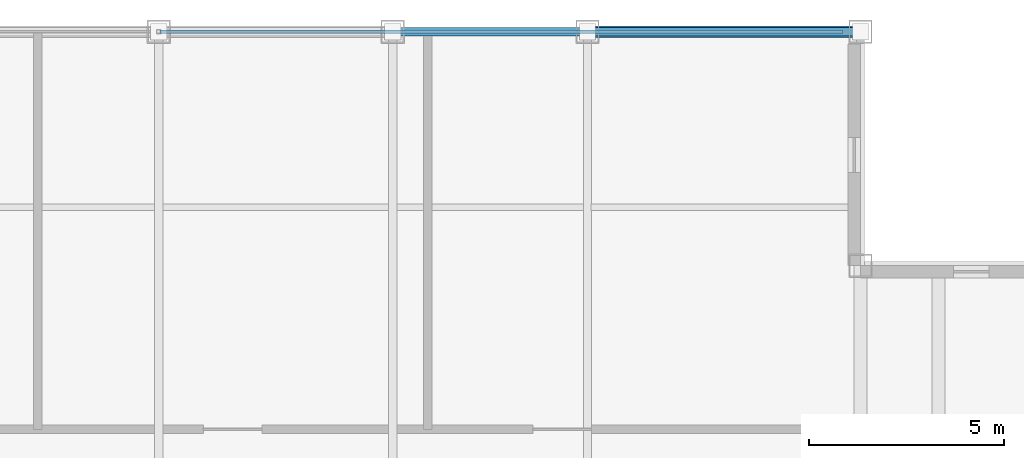
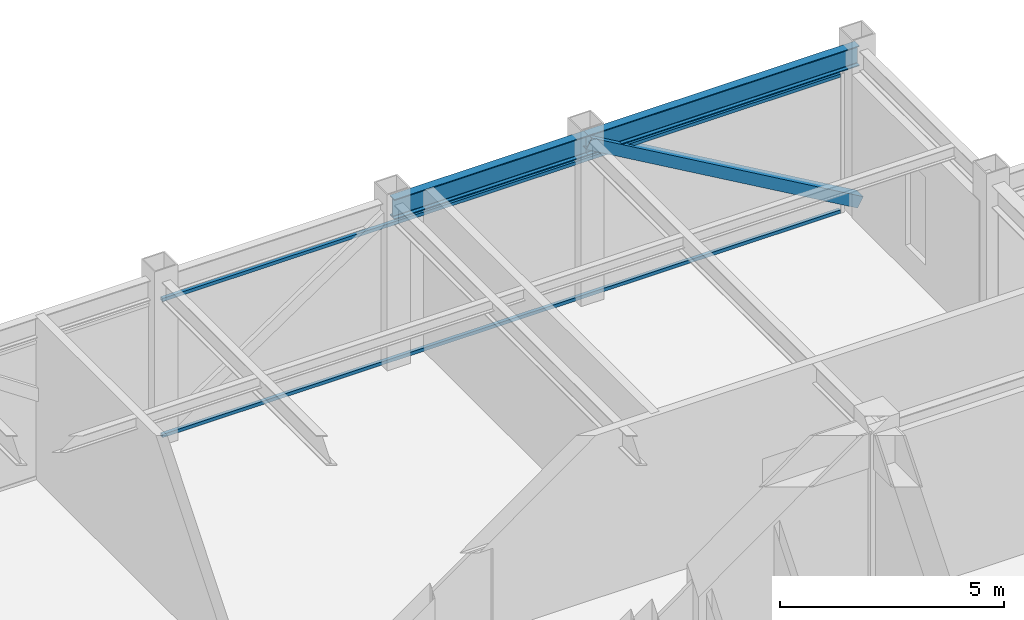
# One storey, part 21 of 27: 3 members, 2 beams, 1 element without a shape of its own.
"""IFC4 building model written with IfcOpenShell, lengths in metres."""

import ifcopenshell
import ifcopenshell.guid

model = None  # the IFC model being written
_history = None  # IfcOwnerHistory: only IFC2X3 demands one
_inside = {}  # id of a spatial element -> (the spatial element, [elements in it])
_under = {}  # id of a project, library or spatial element -> (it, [spatial elements below it])
_declared = {}  # id of a project -> (the project, [libraries it declares])
_typed = {}  # id of a type object -> (the type object, [elements of that type])
_made_of = {}  # id of a material, layer set ... -> (it, [elements and type objects made of it])


def new_model(schema):
    """Start an empty IFC model of exactly this schema.

    Asked for "IFC4X3", IfcOpenShell would pick the latest addendum, in which some entities
    have other attributes; the version numbers below select the first issue.
    IFC2X3 requires an IfcOwnerHistory on every rooted entity: one is made here for all.
    """
    global model, _history
    if schema == "IFC4X3":
        model = ifcopenshell.file(schema_version=(4, 3, 0, 0))
    else:
        model = ifcopenshell.file(schema=schema)
    _inside.clear()
    _under.clear()
    _declared.clear()
    _typed.clear()
    _made_of.clear()
    _history = None
    if model.schema == "IFC2X3":
        org = make("IfcOrganization", Name="unknown")
        user = make(
            "IfcPersonAndOrganization",
            ThePerson=make("IfcPerson", FamilyName="unknown"),
            TheOrganization=org,
        )
        app = make(
            "IfcApplication",
            ApplicationDeveloper=org,
            Version="unknown",
            ApplicationFullName="unknown",
            ApplicationIdentifier="unknown",
        )
        _history = make(
            "IfcOwnerHistory",
            OwningUser=user,
            OwningApplication=app,
            ChangeAction="ADDED",
            CreationDate=0,
        )
    return model


def make(cls, **values):
    """One entity of the class cls with the attributes given. An attribute that is None is left unset."""
    return model.create_entity(
        cls, **{name: value for name, value in values.items() if value is not None}
    )


def rooted(cls, **values):
    """An entity with a GlobalId (a new one), such as an element, a storey or a relation."""
    return make(cls, GlobalId=ifcopenshell.guid.new(), OwnerHistory=_history, **values)


def si_unit(unit_type, name, prefix=None):
    """IfcSIUnit, for example si_unit("LENGTHUNIT", "METRE", prefix="MILLI")."""
    return make("IfcSIUnit", UnitType=unit_type, Prefix=prefix, Name=name)


def assignment(units):
    """IfcUnitAssignment: the units of a project."""
    return None if units is None else make("IfcUnitAssignment", Units=units)


def point(xyz):
    """IfcCartesianPoint."""
    return None if xyz is None else make("IfcCartesianPoint", Coordinates=xyz)


def direction(xyz):
    """IfcDirection."""
    return None if xyz is None else make("IfcDirection", DirectionRatios=xyz)


def frame(location, z_axis=None, x_axis=None):
    """IfcAxis2Placement3D, a coordinate frame: its origin and axes. An axis left out is left unset."""
    return make(
        "IfcAxis2Placement3D",
        Location=point(location),
        Axis=direction(z_axis),
        RefDirection=direction(x_axis),
    )


def frame_2d(location, x_axis=None):
    """IfcAxis2Placement2D, a coordinate frame in the plane: its origin and x axis."""
    return make(
        "IfcAxis2Placement2D", Location=point(location), RefDirection=direction(x_axis)
    )


def origin():
    """The frame at (0, 0, 0) with its axes left unset."""
    return frame((0.0, 0.0, 0.0))


def origin_2d():
    """The frame at (0, 0) in the plane with its x axis left unset."""
    return frame_2d((0.0, 0.0))


def place(relative_to, where):
    """IfcLocalPlacement: puts the frame where relative to a parent placement (None: the world)."""
    return make(
        "IfcLocalPlacement", PlacementRelTo=relative_to, RelativePlacement=where
    )


def context(
    kind, dimensions, precision=None, world=None, true_north=None, identifier=None
):
    """IfcGeometricRepresentationContext, for example the 3D "Model" context."""
    return make(
        "IfcGeometricRepresentationContext",
        ContextIdentifier=identifier,
        ContextType=kind,
        CoordinateSpaceDimension=dimensions,
        Precision=precision,
        WorldCoordinateSystem=world,
        TrueNorth=true_north,
    )


def subcontext(parent, identifier, kind, view, scale=None):
    """IfcGeometricRepresentationSubContext, for example "Body" below "Model"."""
    return make(
        "IfcGeometricRepresentationSubContext",
        ContextIdentifier=identifier,
        ContextType=kind,
        ParentContext=parent,
        TargetScale=scale,
        TargetView=view,
    )


def project(units=None, contexts=None):
    """IfcProject with its units and contexts."""
    return rooted(
        "IfcProject",
        Name="project",
        RepresentationContexts=contexts,
        UnitsInContext=assignment(units),
    )


def spatial(cls, under=None, at=None, **own):
    """A site, building, storey or space (cls), placed at a placement, below another one or the project."""
    s = rooted(cls, ObjectPlacement=at, **own)
    if under is not None:
        _under.setdefault(under.id(), (under, []))[1].append(s)
    return s


def profile(cls, at=None, kind="AREA", **sizes):
    """A parametric profile (cls). Its sizes go by their IFC names, for example OverallWidth=200.0."""
    return make(cls, ProfileType=kind, Position=at, **sizes)


def hollow_rectangle(**sizes):
    """IfcRectangleHollowProfileDef."""
    return profile("IfcRectangleHollowProfileDef", **sizes)


def i_section(**sizes):
    """IfcIShapeProfileDef."""
    return profile("IfcIShapeProfileDef", **sizes)


def extrude(swept, where, along, depth):
    """IfcExtrudedAreaSolid: the profile swept, set in the frame where, extruded along a direction by depth."""
    return make(
        "IfcExtrudedAreaSolid",
        SweptArea=swept,
        Position=where,
        ExtrudedDirection=direction(along),
        Depth=depth,
    )


def shape(context_of_items, identifier, shape_type, items):
    """IfcShapeRepresentation: the items that make up one representation, for example the "Body"."""
    return make(
        "IfcShapeRepresentation",
        ContextOfItems=context_of_items,
        RepresentationIdentifier=identifier,
        RepresentationType=shape_type,
        Items=items,
    )


def source(mapping_origin, context_of_items, identifier, shape_type, items):
    """IfcRepresentationMap: a shape defined once, which mapped items show again and again."""
    return make(
        "IfcRepresentationMap",
        MappingOrigin=mapping_origin,
        MappedRepresentation=shape(context_of_items, identifier, shape_type, items),
    )


def transform(
    local_origin,
    x_axis=None,
    y_axis=None,
    z_axis=None,
    scale=None,
    scale2=None,
    scale3=None,
    uniform=True,
):
    """IfcCartesianTransformationOperator3D, or its non-uniform kind. x_axis, y_axis, z_axis: its Axis1, 2, 3."""
    if uniform:
        return make(
            "IfcCartesianTransformationOperator3D",
            Axis1=direction(x_axis),
            Axis2=direction(y_axis),
            LocalOrigin=point(local_origin),
            Scale=scale,
            Axis3=direction(z_axis),
        )
    return make(
        "IfcCartesianTransformationOperator3DnonUniform",
        Axis1=direction(x_axis),
        Axis2=direction(y_axis),
        LocalOrigin=point(local_origin),
        Scale=scale,
        Axis3=direction(z_axis),
        Scale2=scale2,
        Scale3=scale3,
    )


def mapped(mapping_source, mapping_target):
    """IfcMappedItem: shows the shape of a source again, moved by a transform."""
    return make(
        "IfcMappedItem", MappingSource=mapping_source, MappingTarget=mapping_target
    )


def material(Name=None, Category=None):
    """IfcMaterial."""
    return make("IfcMaterial", Name=Name, Category=Category)


def material_profile(
    of_material, cross_section, Name=None, Category=None, Priority=None
):
    """IfcMaterialProfile: a cross section and its material."""
    return make(
        "IfcMaterialProfile",
        Name=Name,
        Material=of_material,
        Profile=cross_section,
        Priority=Priority,
        Category=Category,
    )


def profile_set(profiles, Name=None, composite=None):
    """IfcMaterialProfileSet."""
    return make(
        "IfcMaterialProfileSet",
        Name=Name,
        MaterialProfiles=profiles,
        CompositeProfile=composite,
    )


def made_of(thing, what):
    """Note that an element or type object is made of a material, layer set ...; save() writes the relation."""
    if what is not None:
        _made_of.setdefault(what.id(), (what, []))[1].append(thing)
    return thing


def type_object(cls, material=None, **own):
    """A type object (cls), such as IfcWallType, which elements share."""
    return made_of(rooted(cls, **own), material)


def element(
    cls,
    number,
    at=None,
    inside=None,
    cuts=None,
    type_object=None,
    material=None,
    context=None,
    identifier="Body",
    shape_type=None,
    held_by="IfcProductDefinitionShape",
    body=None,
    shapes=None,
    **own,
):
    """One element of the class cls, such as IfcWall. Its Tag is "e" and its number.

    at: its placement. inside: the storey or other place that contains it. cuts: it is an
    opening in that element (IfcRelVoidsElement). A single representation is given by context,
    identifier, shape_type and body (its items); several are given by shapes. held_by: the class
    of the entity that holds the representations. save() writes the other relations.
    """
    e = rooted(cls, Tag="e%d" % number, ObjectPlacement=at, **own)
    if body is not None:
        shapes = [shape(context, identifier, shape_type, body)]
    if shapes is not None:
        e.Representation = make(held_by, Representations=shapes)
    if inside is not None:
        _inside.setdefault(inside.id(), (inside, []))[1].append(e)
    if cuts is not None:
        rooted(
            "IfcRelVoidsElement", RelatingBuildingElement=cuts, RelatedOpeningElement=e
        )
    if type_object is not None:
        _typed.setdefault(type_object.id(), (type_object, []))[1].append(e)
    return made_of(e, material)


def aggregate(whole, parts):
    """IfcRelAggregates: a whole, such as a stair, and the parts it consists of."""
    return rooted("IfcRelAggregates", RelatingObject=whole, RelatedObjects=parts)


def save(model, path):
    """Write the relations noted so far, then the file.

    IfcRelAggregates (storeys below a building ...), IfcRelContainedInSpatialStructure (elements
    in a storey), IfcRelDefinesByType, IfcRelAssociatesMaterial and IfcRelDeclares: one each for
    every whole, place, type object, material and project.
    """
    for whole, parts in _under.values():
        aggregate(whole, parts)
    for where, things in _inside.values():
        rooted(
            "IfcRelContainedInSpatialStructure",
            RelatedElements=things,
            RelatingStructure=where,
        )
    for kind, things in _typed.values():
        rooted("IfcRelDefinesByType", RelatedObjects=things, RelatingType=kind)
    for what, things in _made_of.values():
        rooted("IfcRelAssociatesMaterial", RelatedObjects=things, RelatingMaterial=what)
    for by, libraries in _declared.values():
        rooted("IfcRelDeclares", RelatingContext=by, RelatedDefinitions=libraries)
    model.write(path)


model = new_model("IFC4")

# Units and contexts
model_context = context("Model", 3, precision=1e-05, world=origin(), true_north=direction((0.0, 1.0)))
body_context = subcontext(model_context, "Body", "Model", "MODEL_VIEW")
ifc_project = project(units=[si_unit("LENGTHUNIT", "METRE"), si_unit("AREAUNIT", "SQUARE_METRE"), si_unit("VOLUMEUNIT", "CUBIC_METRE"), si_unit("PLANEANGLEUNIT", "RADIAN"), si_unit("MASSUNIT", "GRAM", prefix="KILO")], contexts=[model_context])

# Site, building, storey
site_placement = place(None, origin())
site = spatial("IfcSite", under=ifc_project, at=site_placement, CompositionType="ELEMENT")
building_placement = place(site_placement, origin())
building = spatial("IfcBuilding", under=site, at=building_placement, Name="Khorayat Bourse Tower", CompositionType="ELEMENT")
storey_placement = place(building_placement, frame((0.0, 0.0, 389.89990234375)))
storey = spatial("IfcBuildingStorey", under=building, at=storey_placement, Name="L92", CompositionType="ELEMENT", Elevation=389.89990234375)

# Beams
ifc_material_1 = material(Name="Steel ASTM A992 Grade 50", Category="steel")
ifc_material_profile_1 = material_profile(ifc_material_1, i_section(OverallWidth=0.214111328125, OverallDepth=0.549072265625, WebThickness=0.0146484375, FlangeThickness=0.023681640625, FilletRadius=0.013916015625, at=origin_2d()), Name="W530X138")
ifc_profile_set_1 = profile_set([ifc_material_profile_1], Name="Steel ASTM A992 Grade 50")
beam_type = type_object("IfcBeamType", Name="BM-SPAN-530", PredefinedType="SPANDREL", material=ifc_profile_set_1)
shared_shape_1 = source(origin(), body_context, "Body", "SweptSolid", [
    extrude(i_section(OverallWidth=0.214111328125, OverallDepth=0.549072265625, WebThickness=0.0146484375, FlangeThickness=0.023681640625, FilletRadius=0.013916015625, at=origin_2d()), origin(), (0.0, 0.0, 1.0), 5.0),
])
beam_1_placement = place(storey_placement, frame((6.0, 24.0, 4.175537109375), z_axis=(1.0, 0.0, 0.0), x_axis=(0.0, 1.0, 0.0)))
element("IfcBeam", 1, at=beam_1_placement, inside=storey, type_object=beam_type, Name="L92 BM-SPAN-530 BM-L92-SPN-041", PredefinedType="SPANDREL", context=body_context, shape_type="MappedRepresentation", body=[
    mapped(shared_shape_1, transform((0.0, 0.0, 0.0), scale=1.0)),
])
shared_shape_2 = source(origin(), body_context, "Body", "SweptSolid", [
    extrude(i_section(OverallWidth=0.214111328125, OverallDepth=0.549072265625, WebThickness=0.0146484375, FlangeThickness=0.023681640625, FilletRadius=0.013916015625, at=origin_2d()), origin(), (0.0, 0.0, 1.0), 7.0),
])
beam_2_placement = place(storey_placement, frame((11.0, 24.0, 4.175537109375), z_axis=(1.0, 0.0, 0.0), x_axis=(0.0, 1.0, 0.0)))
element("IfcBeam", 2, at=beam_2_placement, inside=storey, type_object=beam_type, Name="L92 BM-SPAN-530 BM-L92-SPN-040", PredefinedType="SPANDREL", context=body_context, shape_type="MappedRepresentation", body=[
    mapped(shared_shape_2, transform((0.0, 0.0, 0.0), scale=1.0)),
])

# Member
ifc_material_2 = material(Name="Steel EN 10025-2 S355J2", Category="steel")
ifc_material_profile_2 = material_profile(ifc_material_2, hollow_rectangle(XDim=0.300048828125, YDim=0.300048828125, WallThickness=0.01611328125, at=origin_2d()), Name="HSS 300x300x16")
ifc_profile_set_2 = profile_set([ifc_material_profile_2], Name="Steel EN 10025-2 S355J2")
member_type_1 = type_object("IfcMemberType", Name="MBR-CROWN-300", PredefinedType="USERDEFINED", material=ifc_profile_set_2)
shared_shape_3 = source(origin(), body_context, "Body", "SweptSolid", [
    extrude(hollow_rectangle(XDim=0.300048828125, YDim=0.300048828125, WallThickness=0.01611328125, at=origin_2d()), origin(), (0.0, 0.0, 1.0), 8.087158203125),
])
member_1_placement = place(storey_placement, frame((11.0, 24.0, 4.25), z_axis=(0.865577817, 0.0, -0.500774442955), x_axis=(0.0, 1.0, 0.0)))
element("IfcMember", 3, at=member_1_placement, inside=storey, type_object=member_type_1, Name="L92 Lantern Crown Frame Member 08", ObjectType="CROWN FRAME", PredefinedType="USERDEFINED", context=body_context, shape_type="MappedRepresentation", body=[
    mapped(shared_shape_3, transform((0.0, 0.0, 0.0), scale=1.0)),
])

# Curtain wall, members
ifc_material_3 = material(Name="Aluminium EN AW-6063 T6", Category="aluminium")
curtain_wall_type = type_object("IfcCurtainWallType", Name="CW-SYS-07", PredefinedType="NOTDEFINED", material=ifc_material_3)
curtain_wall_placement = place(storey_placement, origin())
curtain_wall = element("IfcCurtainWall", 4, at=curtain_wall_placement, inside=storey, type_object=curtain_wall_type, Name="L92 Curtain Wall CW-L92-N1", PredefinedType="NOTDEFINED")
ifc_material_profile_3 = material_profile(ifc_material_3, hollow_rectangle(XDim=0.090087890625, YDim=0.090087890625, WallThickness=0.00390625, at=origin_2d()), Name="ALU 90x90x4")
ifc_profile_set_3 = profile_set([ifc_material_profile_3], Name="Aluminium EN AW-6063 T6")
member_type_2 = type_object("IfcMemberType", Name="CWT-HORZ-90", PredefinedType="USERDEFINED", material=ifc_profile_set_3)
shared_shape_4 = source(origin(), body_context, "Body", "SweptSolid", [
    extrude(hollow_rectangle(XDim=0.090087890625, YDim=0.090087890625, WallThickness=0.00390625, at=origin_2d()), origin(), (0.0, 0.0, 1.0), 17.5),
])
member_2_placement = place(storey_placement, frame((0.050048828125, 24.0, 0.045166015625), z_axis=(1.0, 0.0, 0.0), x_axis=(0.0, 1.0, 0.0)))
member_2 = element("IfcMember", 5, at=member_2_placement, type_object=member_type_2, Name="CW-L92-N1 Horizontal Transom 2-1", ObjectType="TRANSOM", PredefinedType="USERDEFINED", context=body_context, shape_type="MappedRepresentation", body=[
    mapped(shared_shape_4, transform((0.0, 0.0, 0.0), scale=1.0)),
])
member_3_placement = place(storey_placement, frame((0.050048828125, 24.0, 3.755126953125), z_axis=(1.0, 0.0, 0.0), x_axis=(0.0, 1.0, 0.0)))
member_3 = element("IfcMember", 6, at=member_3_placement, type_object=member_type_2, Name="CW-L92-N1 Horizontal Transom 2-2", ObjectType="TRANSOM", PredefinedType="USERDEFINED", context=body_context, shape_type="MappedRepresentation", body=[
    mapped(shared_shape_4, transform((0.0, 0.0, 0.0), scale=1.0)),
])
aggregate(curtain_wall, [member_2, member_3])

save(model, "model.ifc")
